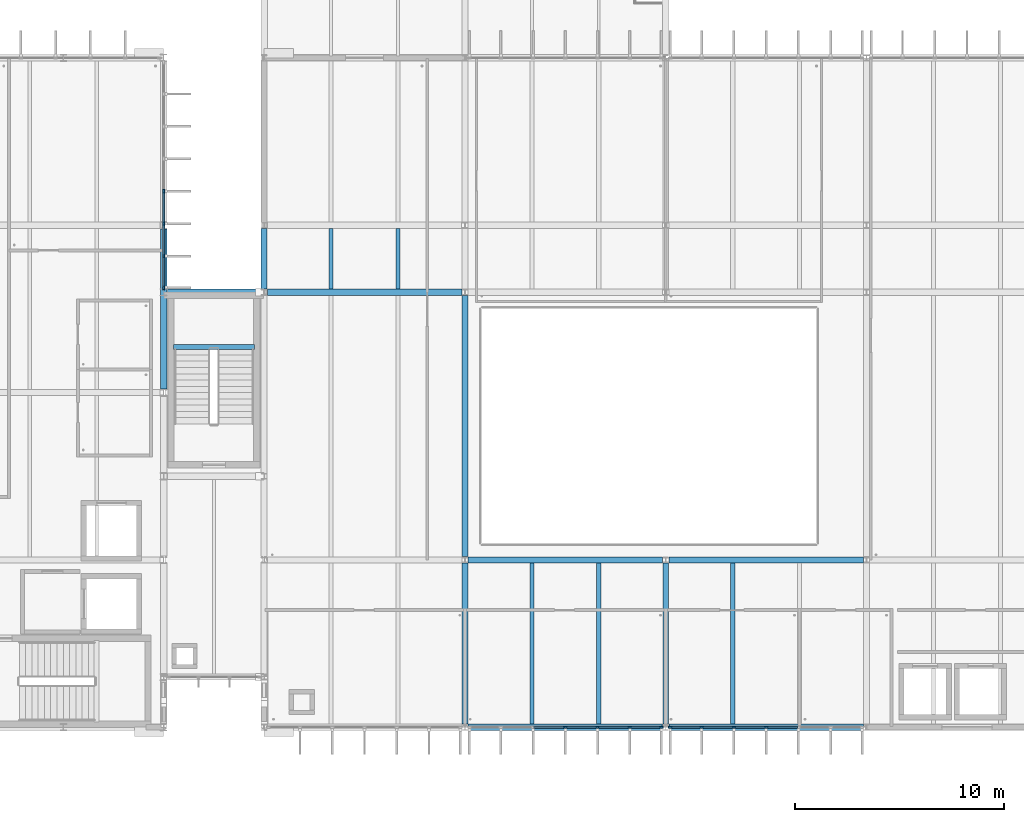
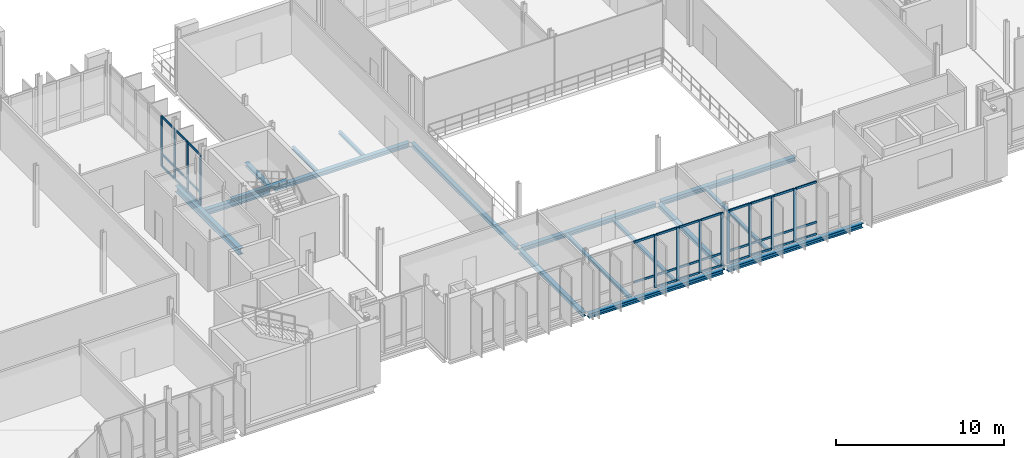
# One storey, part 21 of 93: 44 members, 17 beams, 3 elements without a shape of their own.
"""IFC4 building model written with IfcOpenShell, lengths in metres."""

from ifc_helpers import new_model, si_unit, direction, frame, origin, origin_2d, place, context, subcontext, project, spatial, rectangle, i_section, extrude, material, material_profile, profile_set, type_object, element, aggregate, save


model = new_model("IFC4")

# Units and contexts
model_context = context("Model", 3, precision=1e-05, world=origin(), true_north=direction((0.0, 1.0)))
body_context = subcontext(model_context, "Body", "Model", "MODEL_VIEW")
ifc_project = project(units=[si_unit("LENGTHUNIT", "METRE"), si_unit("AREAUNIT", "SQUARE_METRE"), si_unit("VOLUMEUNIT", "CUBIC_METRE"), si_unit("PLANEANGLEUNIT", "RADIAN"), si_unit("MASSUNIT", "GRAM", prefix="KILO")], contexts=[model_context])

# Site, building, storey
site_placement = place(None, origin())
site = spatial("IfcSite", under=ifc_project, at=site_placement, CompositionType="ELEMENT")
building_placement = place(site_placement, origin())
building = spatial("IfcBuilding", under=site, at=building_placement, Name="Dunescarp Central Library", CompositionType="ELEMENT")
storey_placement = place(building_placement, frame((0.0, 0.0, 14.10009765625)))
storey = spatial("IfcBuildingStorey", under=building, at=storey_placement, Name="L03", CompositionType="ELEMENT", Elevation=14.10009765625)

# Curtain wall, members
ifc_material_1 = material(Name="Marine-grade anodised aluminium 6063-T6", Category="aluminium")
curtain_wall_type = type_object("IfcCurtainWallType", Name="ARC-CW-STICK", PredefinedType="NOTDEFINED", material=ifc_material_1)
curtain_wall_1_placement = place(storey_placement, origin())
curtain_wall_1 = element("IfcCurtainWall", 1, at=curtain_wall_1_placement, inside=storey, type_object=curtain_wall_type, Name="L03 curtain wall CW-V1-023", PredefinedType="NOTDEFINED")
ifc_material_profile_1 = material_profile(ifc_material_1, rectangle(XDim=0.080078125, YDim=0.179931640625, at=origin_2d()), Name="AL 80x180")
ifc_profile_set_1 = profile_set([ifc_material_profile_1], Name="Marine-grade anodised aluminium 6063-T6")
member_type_1 = type_object("IfcMemberType", Name="ARC-CWM-180", PredefinedType="MULLION", material=ifc_profile_set_1)
member_1_placement = place(storey_placement, frame((33.60009765625, 30.425048828125, 0.0), z_axis=(0.0, 0.0, 1.0), x_axis=(1.0, 0.0, 0.0)))
member_1 = element("IfcMember", 2, at=member_1_placement, type_object=member_type_1, Name="CW-V1-023 mullion 5", PredefinedType="MULLION", context=body_context, shape_type="SweptSolid", body=[
    extrude(rectangle(XDim=0.080078125, YDim=0.179931640625, at=origin_2d()), origin(), (0.0, 0.0, 1.0), 3.6748046875),
])
member_2_placement = place(storey_placement, frame((33.60009765625, 28.875, 0.0), z_axis=(0.0, 0.0, 1.0), x_axis=(1.0, 0.0, 0.0)))
member_2 = element("IfcMember", 3, at=member_2_placement, type_object=member_type_1, Name="CW-V1-023 mullion 6", PredefinedType="MULLION", context=body_context, shape_type="SweptSolid", body=[
    extrude(rectangle(XDim=0.080078125, YDim=0.179931640625, at=origin_2d()), origin(), (0.0, 0.0, 1.0), 3.6748046875),
])
member_3_placement = place(storey_placement, frame((33.60009765625, 27.324951171875, 0.0), z_axis=(0.0, 0.0, 1.0), x_axis=(1.0, 0.0, 0.0)))
member_3 = element("IfcMember", 4, at=member_3_placement, type_object=member_type_1, Name="CW-V1-023 mullion 7", PredefinedType="MULLION", context=body_context, shape_type="SweptSolid", body=[
    extrude(rectangle(XDim=0.080078125, YDim=0.179931640625, at=origin_2d()), origin(), (0.0, 0.0, 1.0), 3.6748046875),
])
member_4_placement = place(storey_placement, frame((33.60009765625, 25.81494140625, 0.0), z_axis=(0.0, 0.0, 1.0), x_axis=(1.0, 0.0, 0.0)))
member_4 = element("IfcMember", 5, at=member_4_placement, type_object=member_type_1, Name="CW-V1-023 mullion 8", PredefinedType="MULLION", context=body_context, shape_type="SweptSolid", body=[
    extrude(rectangle(XDim=0.080078125, YDim=0.179931640625, at=origin_2d()), origin(), (0.0, 0.0, 1.0), 3.6748046875),
])

curtain_wall_2_placement = place(storey_placement, origin())
curtain_wall_2 = element("IfcCurtainWall", 6, at=curtain_wall_2_placement, inside=storey, type_object=curtain_wall_type, Name="L03 curtain wall CW-V2-062", PredefinedType="NOTDEFINED")
member_5_placement = place(storey_placement, frame((57.385009765625, 4.800048828125, 0.0), z_axis=(0.0, 0.0, 1.0), x_axis=(0.0, -1.0, 0.0)))
member_5 = element("IfcMember", 7, at=member_5_placement, type_object=member_type_1, Name="CW-V2-062 mullion 1", PredefinedType="MULLION", context=body_context, shape_type="SweptSolid", body=[
    extrude(rectangle(XDim=0.080078125, YDim=0.179931640625, at=origin_2d()), origin(), (0.0, 0.0, 1.0), 3.86181640625),
])
member_6_placement = place(storey_placement, frame((55.88330078125, 4.800048828125, 0.0), z_axis=(0.0, 0.0, 1.0), x_axis=(0.0, -1.0, 0.0)))
member_6 = element("IfcMember", 8, at=member_6_placement, type_object=member_type_1, Name="CW-V2-062 mullion 2", PredefinedType="MULLION", context=body_context, shape_type="SweptSolid", body=[
    extrude(rectangle(XDim=0.080078125, YDim=0.179931640625, at=origin_2d()), origin(), (0.0, 0.0, 1.0), 3.86181640625),
])
member_7_placement = place(storey_placement, frame((54.341552734375, 4.800048828125, 0.0), z_axis=(0.0, 0.0, 1.0), x_axis=(0.0, -1.0, 0.0)))
member_7 = element("IfcMember", 9, at=member_7_placement, type_object=member_type_1, Name="CW-V2-062 mullion 3", PredefinedType="MULLION", context=body_context, shape_type="SweptSolid", body=[
    extrude(rectangle(XDim=0.080078125, YDim=0.179931640625, at=origin_2d()), origin(), (0.0, 0.0, 1.0), 3.86181640625),
])
member_8_placement = place(storey_placement, frame((52.800048828125, 4.800048828125, 0.0), z_axis=(0.0, 0.0, 1.0), x_axis=(0.0, -1.0, 0.0)))
member_8 = element("IfcMember", 10, at=member_8_placement, type_object=member_type_1, Name="CW-V2-062 mullion 4", PredefinedType="MULLION", context=body_context, shape_type="SweptSolid", body=[
    extrude(rectangle(XDim=0.080078125, YDim=0.179931640625, at=origin_2d()), origin(), (0.0, 0.0, 1.0), 3.86181640625),
])

curtain_wall_3_placement = place(storey_placement, origin())
curtain_wall_3 = element("IfcCurtainWall", 11, at=curtain_wall_3_placement, inside=storey, type_object=curtain_wall_type, Name="L03 curtain wall CW-V2-063", PredefinedType="NOTDEFINED")
member_9_placement = place(storey_placement, frame((62.39990234375, 4.800048828125, 0.0), z_axis=(0.0, 0.0, 1.0), x_axis=(0.0, -1.0, 0.0)))
member_9 = element("IfcMember", 12, at=member_9_placement, type_object=member_type_1, Name="CW-V2-063 mullion 4", PredefinedType="MULLION", context=body_context, shape_type="SweptSolid", body=[
    extrude(rectangle(XDim=0.080078125, YDim=0.179931640625, at=origin_2d()), origin(), (0.0, 0.0, 1.0), 3.86181640625),
])
member_10_placement = place(storey_placement, frame((60.8583984375, 4.800048828125, 0.0), z_axis=(0.0, 0.0, 1.0), x_axis=(0.0, -1.0, 0.0)))
member_10 = element("IfcMember", 13, at=member_10_placement, type_object=member_type_1, Name="CW-V2-063 mullion 5", PredefinedType="MULLION", context=body_context, shape_type="SweptSolid", body=[
    extrude(rectangle(XDim=0.080078125, YDim=0.179931640625, at=origin_2d()), origin(), (0.0, 0.0, 1.0), 3.86181640625),
])
member_11_placement = place(storey_placement, frame((59.316650390625, 4.800048828125, 0.0), z_axis=(0.0, 0.0, 1.0), x_axis=(0.0, -1.0, 0.0)))
member_11 = element("IfcMember", 14, at=member_11_placement, type_object=member_type_1, Name="CW-V2-063 mullion 6", PredefinedType="MULLION", context=body_context, shape_type="SweptSolid", body=[
    extrude(rectangle(XDim=0.080078125, YDim=0.179931640625, at=origin_2d()), origin(), (0.0, 0.0, 1.0), 3.86181640625),
])
member_12_placement = place(storey_placement, frame((57.81494140625, 4.800048828125, 0.0), z_axis=(0.0, 0.0, 1.0), x_axis=(0.0, -1.0, 0.0)))
member_12 = element("IfcMember", 15, at=member_12_placement, type_object=member_type_1, Name="CW-V2-063 mullion 7", PredefinedType="MULLION", context=body_context, shape_type="SweptSolid", body=[
    extrude(rectangle(XDim=0.080078125, YDim=0.179931640625, at=origin_2d()), origin(), (0.0, 0.0, 1.0), 3.86181640625),
])

# Member
ifc_material_profile_2 = material_profile(ifc_material_1, rectangle(XDim=0.080078125, YDim=0.14990234375, at=origin_2d()), Name="AL 80x150")
ifc_profile_set_2 = profile_set([ifc_material_profile_2], Name="Marine-grade anodised aluminium 6063-T6")
member_type_2 = type_object("IfcMemberType", Name="ARC-CWT-150", PredefinedType="USERDEFINED", material=ifc_profile_set_2)
member_13_placement = place(storey_placement, frame((33.60009765625, 30.385009765625, 0.039794921875), z_axis=(0.0, -1.0, 0.0), x_axis=(1.0, 0.0, 0.0)))
member_13 = element("IfcMember", 16, at=member_13_placement, type_object=member_type_2, Name="CW-V1-023 transom 5.1", ObjectType="TRANSOM", PredefinedType="USERDEFINED", context=body_context, shape_type="SweptSolid", body=[
    extrude(rectangle(XDim=0.080078125, YDim=0.14990234375, at=origin_2d()), origin(), (0.0, 0.0, 1.0), 1.469970703125),
])

member_14_placement = place(storey_placement, frame((33.60009765625, 30.385009765625, 0.89990234375), z_axis=(0.0, -1.0, 0.0), x_axis=(1.0, 0.0, 0.0)))
member_14 = element("IfcMember", 17, at=member_14_placement, type_object=member_type_2, Name="CW-V1-023 transom 5.2", ObjectType="TRANSOM", PredefinedType="USERDEFINED", context=body_context, shape_type="SweptSolid", body=[
    extrude(rectangle(XDim=0.080078125, YDim=0.14990234375, at=origin_2d()), origin(), (0.0, 0.0, 1.0), 1.469970703125),
])

member_15_placement = place(storey_placement, frame((33.60009765625, 30.385009765625, 3.635009765625), z_axis=(0.0, -1.0, 0.0), x_axis=(1.0, 0.0, 0.0)))
member_15 = element("IfcMember", 18, at=member_15_placement, type_object=member_type_2, Name="CW-V1-023 transom 5.3", ObjectType="TRANSOM", PredefinedType="USERDEFINED", context=body_context, shape_type="SweptSolid", body=[
    extrude(rectangle(XDim=0.080078125, YDim=0.14990234375, at=origin_2d()), origin(), (0.0, 0.0, 1.0), 1.469970703125),
])

member_16_placement = place(storey_placement, frame((33.60009765625, 28.8349609375, 0.039794921875), z_axis=(0.0, -1.0, 0.0), x_axis=(1.0, 0.0, 0.0)))
member_16 = element("IfcMember", 19, at=member_16_placement, type_object=member_type_2, Name="CW-V1-023 transom 6.1", ObjectType="TRANSOM", PredefinedType="USERDEFINED", context=body_context, shape_type="SweptSolid", body=[
    extrude(rectangle(XDim=0.080078125, YDim=0.14990234375, at=origin_2d()), origin(), (0.0, 0.0, 1.0), 1.469970703125),
])

member_17_placement = place(storey_placement, frame((33.60009765625, 28.8349609375, 0.89990234375), z_axis=(0.0, -1.0, 0.0), x_axis=(1.0, 0.0, 0.0)))
member_17 = element("IfcMember", 20, at=member_17_placement, type_object=member_type_2, Name="CW-V1-023 transom 6.2", ObjectType="TRANSOM", PredefinedType="USERDEFINED", context=body_context, shape_type="SweptSolid", body=[
    extrude(rectangle(XDim=0.080078125, YDim=0.14990234375, at=origin_2d()), origin(), (0.0, 0.0, 1.0), 1.469970703125),
])

member_18_placement = place(storey_placement, frame((33.60009765625, 28.8349609375, 3.635009765625), z_axis=(0.0, -1.0, 0.0), x_axis=(1.0, 0.0, 0.0)))
member_18 = element("IfcMember", 21, at=member_18_placement, type_object=member_type_2, Name="CW-V1-023 transom 6.3", ObjectType="TRANSOM", PredefinedType="USERDEFINED", context=body_context, shape_type="SweptSolid", body=[
    extrude(rectangle(XDim=0.080078125, YDim=0.14990234375, at=origin_2d()), origin(), (0.0, 0.0, 1.0), 1.469970703125),
])

member_19_placement = place(storey_placement, frame((33.60009765625, 27.284912109375, 0.039794921875), z_axis=(0.0, -1.0, 0.0), x_axis=(1.0, 0.0, 0.0)))
member_19 = element("IfcMember", 22, at=member_19_placement, type_object=member_type_2, Name="CW-V1-023 transom 7.1", ObjectType="TRANSOM", PredefinedType="USERDEFINED", context=body_context, shape_type="SweptSolid", body=[
    extrude(rectangle(XDim=0.080078125, YDim=0.14990234375, at=origin_2d()), origin(), (0.0, 0.0, 1.0), 1.429931640625),
])

member_20_placement = place(storey_placement, frame((33.60009765625, 27.284912109375, 0.89990234375), z_axis=(0.0, -1.0, 0.0), x_axis=(1.0, 0.0, 0.0)))
member_20 = element("IfcMember", 23, at=member_20_placement, type_object=member_type_2, Name="CW-V1-023 transom 7.2", ObjectType="TRANSOM", PredefinedType="USERDEFINED", context=body_context, shape_type="SweptSolid", body=[
    extrude(rectangle(XDim=0.080078125, YDim=0.14990234375, at=origin_2d()), origin(), (0.0, 0.0, 1.0), 1.429931640625),
])

member_21_placement = place(storey_placement, frame((33.60009765625, 27.284912109375, 3.635009765625), z_axis=(0.0, -1.0, 0.0), x_axis=(1.0, 0.0, 0.0)))
member_21 = element("IfcMember", 24, at=member_21_placement, type_object=member_type_2, Name="CW-V1-023 transom 7.3", ObjectType="TRANSOM", PredefinedType="USERDEFINED", context=body_context, shape_type="SweptSolid", body=[
    extrude(rectangle(XDim=0.080078125, YDim=0.14990234375, at=origin_2d()), origin(), (0.0, 0.0, 1.0), 1.429931640625),
])

aggregate(curtain_wall_1, [member_1, member_2, member_3, member_4, member_13, member_14, member_15, member_16, member_17, member_18, member_19, member_20, member_21])

member_22_placement = place(storey_placement, frame((57.344970703125, 4.800048828125, 0.039794921875), z_axis=(-1.0, 0.0, 0.0), x_axis=(0.0, -1.0, 0.0)))
member_22 = element("IfcMember", 25, at=member_22_placement, type_object=member_type_2, Name="CW-V2-062 transom 1.1", ObjectType="TRANSOM", PredefinedType="USERDEFINED", context=body_context, shape_type="SweptSolid", body=[
    extrude(rectangle(XDim=0.080078125, YDim=0.14990234375, at=origin_2d()), origin(), (0.0, 0.0, 1.0), 1.421630859375),
])

member_23_placement = place(storey_placement, frame((57.344970703125, 4.800048828125, 0.89990234375), z_axis=(-1.0, 0.0, 0.0), x_axis=(0.0, -1.0, 0.0)))
member_23 = element("IfcMember", 26, at=member_23_placement, type_object=member_type_2, Name="CW-V2-062 transom 1.2", ObjectType="TRANSOM", PredefinedType="USERDEFINED", context=body_context, shape_type="SweptSolid", body=[
    extrude(rectangle(XDim=0.080078125, YDim=0.14990234375, at=origin_2d()), origin(), (0.0, 0.0, 1.0), 1.421630859375),
])

member_24_placement = place(storey_placement, frame((57.344970703125, 4.800048828125, 3.822021484375), z_axis=(-1.0, 0.0, 0.0), x_axis=(0.0, -1.0, 0.0)))
member_24 = element("IfcMember", 27, at=member_24_placement, type_object=member_type_2, Name="CW-V2-062 transom 1.3", ObjectType="TRANSOM", PredefinedType="USERDEFINED", context=body_context, shape_type="SweptSolid", body=[
    extrude(rectangle(XDim=0.080078125, YDim=0.14990234375, at=origin_2d()), origin(), (0.0, 0.0, 1.0), 1.421630859375),
])

member_25_placement = place(storey_placement, frame((55.84326171875, 4.800048828125, 0.039794921875), z_axis=(-1.0, 0.0, 0.0), x_axis=(0.0, -1.0, 0.0)))
member_25 = element("IfcMember", 28, at=member_25_placement, type_object=member_type_2, Name="CW-V2-062 transom 2.1", ObjectType="TRANSOM", PredefinedType="USERDEFINED", context=body_context, shape_type="SweptSolid", body=[
    extrude(rectangle(XDim=0.080078125, YDim=0.14990234375, at=origin_2d()), origin(), (0.0, 0.0, 1.0), 1.461669921875),
])

member_26_placement = place(storey_placement, frame((55.84326171875, 4.800048828125, 0.89990234375), z_axis=(-1.0, 0.0, 0.0), x_axis=(0.0, -1.0, 0.0)))
member_26 = element("IfcMember", 29, at=member_26_placement, type_object=member_type_2, Name="CW-V2-062 transom 2.2", ObjectType="TRANSOM", PredefinedType="USERDEFINED", context=body_context, shape_type="SweptSolid", body=[
    extrude(rectangle(XDim=0.080078125, YDim=0.14990234375, at=origin_2d()), origin(), (0.0, 0.0, 1.0), 1.461669921875),
])

member_27_placement = place(storey_placement, frame((55.84326171875, 4.800048828125, 3.822021484375), z_axis=(-1.0, 0.0, 0.0), x_axis=(0.0, -1.0, 0.0)))
member_27 = element("IfcMember", 30, at=member_27_placement, type_object=member_type_2, Name="CW-V2-062 transom 2.3", ObjectType="TRANSOM", PredefinedType="USERDEFINED", context=body_context, shape_type="SweptSolid", body=[
    extrude(rectangle(XDim=0.080078125, YDim=0.14990234375, at=origin_2d()), origin(), (0.0, 0.0, 1.0), 1.461669921875),
])

member_28_placement = place(storey_placement, frame((54.3017578125, 4.800048828125, 0.039794921875), z_axis=(-1.0, 0.0, 0.0), x_axis=(0.0, -1.0, 0.0)))
member_28 = element("IfcMember", 31, at=member_28_placement, type_object=member_type_2, Name="CW-V2-062 transom 3.1", ObjectType="TRANSOM", PredefinedType="USERDEFINED", context=body_context, shape_type="SweptSolid", body=[
    extrude(rectangle(XDim=0.080078125, YDim=0.14990234375, at=origin_2d()), origin(), (0.0, 0.0, 1.0), 1.461669921875),
])

member_29_placement = place(storey_placement, frame((54.3017578125, 4.800048828125, 0.89990234375), z_axis=(-1.0, 0.0, 0.0), x_axis=(0.0, -1.0, 0.0)))
member_29 = element("IfcMember", 32, at=member_29_placement, type_object=member_type_2, Name="CW-V2-062 transom 3.2", ObjectType="TRANSOM", PredefinedType="USERDEFINED", context=body_context, shape_type="SweptSolid", body=[
    extrude(rectangle(XDim=0.080078125, YDim=0.14990234375, at=origin_2d()), origin(), (0.0, 0.0, 1.0), 1.461669921875),
])

member_30_placement = place(storey_placement, frame((54.3017578125, 4.800048828125, 3.822021484375), z_axis=(-1.0, 0.0, 0.0), x_axis=(0.0, -1.0, 0.0)))
member_30 = element("IfcMember", 33, at=member_30_placement, type_object=member_type_2, Name="CW-V2-062 transom 3.3", ObjectType="TRANSOM", PredefinedType="USERDEFINED", context=body_context, shape_type="SweptSolid", body=[
    extrude(rectangle(XDim=0.080078125, YDim=0.14990234375, at=origin_2d()), origin(), (0.0, 0.0, 1.0), 1.461669921875),
])

member_31_placement = place(storey_placement, frame((52.760009765625, 4.800048828125, 0.89990234375), z_axis=(-1.0, 0.0, 0.0), x_axis=(0.0, -1.0, 0.0)))
member_31 = element("IfcMember", 34, at=member_31_placement, type_object=member_type_2, Name="CW-V2-062 transom 4.2", ObjectType="TRANSOM", PredefinedType="USERDEFINED", context=body_context, shape_type="SweptSolid", body=[
    extrude(rectangle(XDim=0.080078125, YDim=0.14990234375, at=origin_2d()), origin(), (0.0, 0.0, 1.0), 1.461669921875),
])

member_32_placement = place(storey_placement, frame((52.760009765625, 4.800048828125, 3.822021484375), z_axis=(-1.0, 0.0, 0.0), x_axis=(0.0, -1.0, 0.0)))
member_32 = element("IfcMember", 35, at=member_32_placement, type_object=member_type_2, Name="CW-V2-062 transom 4.3", ObjectType="TRANSOM", PredefinedType="USERDEFINED", context=body_context, shape_type="SweptSolid", body=[
    extrude(rectangle(XDim=0.080078125, YDim=0.14990234375, at=origin_2d()), origin(), (0.0, 0.0, 1.0), 1.461669921875),
])

aggregate(curtain_wall_2, [member_5, member_6, member_7, member_8, member_22, member_23, member_24, member_25, member_26, member_27, member_28, member_29, member_30, member_31, member_32])

member_33_placement = place(storey_placement, frame((63.901611328125, 4.800048828125, 0.039794921875), z_axis=(-1.0, 0.0, 0.0), x_axis=(0.0, -1.0, 0.0)))
member_33 = element("IfcMember", 36, at=member_33_placement, type_object=member_type_2, Name="CW-V2-063 transom 3.1", ObjectType="TRANSOM", PredefinedType="USERDEFINED", context=body_context, shape_type="SweptSolid", body=[
    extrude(rectangle(XDim=0.080078125, YDim=0.14990234375, at=origin_2d()), origin(), (0.0, 0.0, 1.0), 1.461669921875),
])

member_34_placement = place(storey_placement, frame((63.901611328125, 4.800048828125, 0.89990234375), z_axis=(-1.0, 0.0, 0.0), x_axis=(0.0, -1.0, 0.0)))
member_34 = element("IfcMember", 37, at=member_34_placement, type_object=member_type_2, Name="CW-V2-063 transom 3.2", ObjectType="TRANSOM", PredefinedType="USERDEFINED", context=body_context, shape_type="SweptSolid", body=[
    extrude(rectangle(XDim=0.080078125, YDim=0.14990234375, at=origin_2d()), origin(), (0.0, 0.0, 1.0), 1.461669921875),
])

member_35_placement = place(storey_placement, frame((63.901611328125, 4.800048828125, 3.822021484375), z_axis=(-1.0, 0.0, 0.0), x_axis=(0.0, -1.0, 0.0)))
member_35 = element("IfcMember", 38, at=member_35_placement, type_object=member_type_2, Name="CW-V2-063 transom 3.3", ObjectType="TRANSOM", PredefinedType="USERDEFINED", context=body_context, shape_type="SweptSolid", body=[
    extrude(rectangle(XDim=0.080078125, YDim=0.14990234375, at=origin_2d()), origin(), (0.0, 0.0, 1.0), 1.461669921875),
])

member_36_placement = place(storey_placement, frame((62.360107421875, 4.800048828125, 0.039794921875), z_axis=(-1.0, 0.0, 0.0), x_axis=(0.0, -1.0, 0.0)))
member_36 = element("IfcMember", 39, at=member_36_placement, type_object=member_type_2, Name="CW-V2-063 transom 4.1", ObjectType="TRANSOM", PredefinedType="USERDEFINED", context=body_context, shape_type="SweptSolid", body=[
    extrude(rectangle(XDim=0.080078125, YDim=0.14990234375, at=origin_2d()), origin(), (0.0, 0.0, 1.0), 1.461669921875),
])

member_37_placement = place(storey_placement, frame((62.360107421875, 4.800048828125, 0.89990234375), z_axis=(-1.0, 0.0, 0.0), x_axis=(0.0, -1.0, 0.0)))
member_37 = element("IfcMember", 40, at=member_37_placement, type_object=member_type_2, Name="CW-V2-063 transom 4.2", ObjectType="TRANSOM", PredefinedType="USERDEFINED", context=body_context, shape_type="SweptSolid", body=[
    extrude(rectangle(XDim=0.080078125, YDim=0.14990234375, at=origin_2d()), origin(), (0.0, 0.0, 1.0), 1.461669921875),
])

member_38_placement = place(storey_placement, frame((62.360107421875, 4.800048828125, 3.822021484375), z_axis=(-1.0, 0.0, 0.0), x_axis=(0.0, -1.0, 0.0)))
member_38 = element("IfcMember", 41, at=member_38_placement, type_object=member_type_2, Name="CW-V2-063 transom 4.3", ObjectType="TRANSOM", PredefinedType="USERDEFINED", context=body_context, shape_type="SweptSolid", body=[
    extrude(rectangle(XDim=0.080078125, YDim=0.14990234375, at=origin_2d()), origin(), (0.0, 0.0, 1.0), 1.461669921875),
])

member_39_placement = place(storey_placement, frame((60.818359375, 4.800048828125, 0.039794921875), z_axis=(-1.0, 0.0, 0.0), x_axis=(0.0, -1.0, 0.0)))
member_39 = element("IfcMember", 42, at=member_39_placement, type_object=member_type_2, Name="CW-V2-063 transom 5.1", ObjectType="TRANSOM", PredefinedType="USERDEFINED", context=body_context, shape_type="SweptSolid", body=[
    extrude(rectangle(XDim=0.080078125, YDim=0.14990234375, at=origin_2d()), origin(), (0.0, 0.0, 1.0), 1.461669921875),
])

member_40_placement = place(storey_placement, frame((60.818359375, 4.800048828125, 0.89990234375), z_axis=(-1.0, 0.0, 0.0), x_axis=(0.0, -1.0, 0.0)))
member_40 = element("IfcMember", 43, at=member_40_placement, type_object=member_type_2, Name="CW-V2-063 transom 5.2", ObjectType="TRANSOM", PredefinedType="USERDEFINED", context=body_context, shape_type="SweptSolid", body=[
    extrude(rectangle(XDim=0.080078125, YDim=0.14990234375, at=origin_2d()), origin(), (0.0, 0.0, 1.0), 1.461669921875),
])

member_41_placement = place(storey_placement, frame((60.818359375, 4.800048828125, 3.822021484375), z_axis=(-1.0, 0.0, 0.0), x_axis=(0.0, -1.0, 0.0)))
member_41 = element("IfcMember", 44, at=member_41_placement, type_object=member_type_2, Name="CW-V2-063 transom 5.3", ObjectType="TRANSOM", PredefinedType="USERDEFINED", context=body_context, shape_type="SweptSolid", body=[
    extrude(rectangle(XDim=0.080078125, YDim=0.14990234375, at=origin_2d()), origin(), (0.0, 0.0, 1.0), 1.461669921875),
])

member_42_placement = place(storey_placement, frame((59.276611328125, 4.800048828125, 0.039794921875), z_axis=(-1.0, 0.0, 0.0), x_axis=(0.0, -1.0, 0.0)))
member_42 = element("IfcMember", 45, at=member_42_placement, type_object=member_type_2, Name="CW-V2-063 transom 6.1", ObjectType="TRANSOM", PredefinedType="USERDEFINED", context=body_context, shape_type="SweptSolid", body=[
    extrude(rectangle(XDim=0.080078125, YDim=0.14990234375, at=origin_2d()), origin(), (0.0, 0.0, 1.0), 1.421630859375),
])

member_43_placement = place(storey_placement, frame((59.276611328125, 4.800048828125, 0.89990234375), z_axis=(-1.0, 0.0, 0.0), x_axis=(0.0, -1.0, 0.0)))
member_43 = element("IfcMember", 46, at=member_43_placement, type_object=member_type_2, Name="CW-V2-063 transom 6.2", ObjectType="TRANSOM", PredefinedType="USERDEFINED", context=body_context, shape_type="SweptSolid", body=[
    extrude(rectangle(XDim=0.080078125, YDim=0.14990234375, at=origin_2d()), origin(), (0.0, 0.0, 1.0), 1.421630859375),
])

member_44_placement = place(storey_placement, frame((59.276611328125, 4.800048828125, 3.822021484375), z_axis=(-1.0, 0.0, 0.0), x_axis=(0.0, -1.0, 0.0)))
member_44 = element("IfcMember", 47, at=member_44_placement, type_object=member_type_2, Name="CW-V2-063 transom 6.3", ObjectType="TRANSOM", PredefinedType="USERDEFINED", context=body_context, shape_type="SweptSolid", body=[
    extrude(rectangle(XDim=0.080078125, YDim=0.14990234375, at=origin_2d()), origin(), (0.0, 0.0, 1.0), 1.421630859375),
])

aggregate(curtain_wall_3, [member_9, member_10, member_11, member_12, member_33, member_34, member_35, member_36, member_37, member_38, member_39, member_40, member_41, member_42, member_43, member_44])

# Beams
ifc_material_2 = material(Name="Steel S355JR", Category="steel")
ifc_material_profile_3 = material_profile(ifc_material_2, i_section(OverallWidth=0.300048828125, OverallDepth=0.31005859375, WebThickness=0.009033203125, FlangeThickness=0.015380859375, at=origin_2d()), Name="HEA 320")
ifc_profile_set_3 = profile_set([ifc_material_profile_3], Name="Steel S355JR")
beam_type_1 = type_object("IfcBeamType", Name="STR-BM-HEA320", PredefinedType="BEAM", material=ifc_profile_set_3)
for number, where, z_axis, x_axis, name in (
    (48, (38.551025390625, 25.60009765625, -0.39501953125), (1.0, 0.0, 0.0), (0.0, 1.0, 0.0), "L03 girder BM-L03-0477"),
    (49, (48.15087890625, 4.800048828125, -0.39501953125), (1.0, 0.0, 0.0), (0.0, 1.0, 0.0), "L03 girder BM-L03-0492"),
    (50, (48.15087890625, 12.800048828125, -0.39501953125), (1.0, 0.0, 0.0), (0.0, 1.0, 0.0), "L03 girder BM-L03-0493"),
    (51, (57.7509765625, 4.800048828125, -0.39501953125), (1.0, 0.0, 0.0), (0.0, 1.0, 0.0), "L03 girder BM-L03-0506"),
    (52, (57.7509765625, 12.800048828125, -0.39501953125), (1.0, 0.0, 0.0), (0.0, 1.0, 0.0), "L03 girder BM-L03-0507"),
):
    element("IfcBeam", number, at=place(storey_placement, frame(where, z_axis=z_axis, x_axis=x_axis)), inside=storey, type_object=beam_type_1, Name=name, PredefinedType="BEAM", context=body_context, shape_type="SweptSolid", body=[
        extrude(i_section(OverallWidth=0.300048828125, OverallDepth=0.31005859375, WebThickness=0.009033203125, FlangeThickness=0.015380859375, at=origin_2d()), origin(), (0.0, 0.0, 1.0), 9.298095703125),
    ])
ifc_material_profile_4 = material_profile(ifc_material_2, i_section(OverallWidth=0.300048828125, OverallDepth=0.389892578125, WebThickness=0.010986328125, FlangeThickness=0.01904296875, at=origin_2d()), Name="HEA 400")
ifc_profile_set_4 = profile_set([ifc_material_profile_4], Name="Steel S355JR")
beam_type_2 = type_object("IfcBeamType", Name="STR-BM-HEA400", PredefinedType="BEAM", material=ifc_profile_set_4)
beam_1_placement = place(storey_placement, frame((33.781982421875, 25.60009765625, -0.43505859375), z_axis=(1.0, 0.0, 0.0), x_axis=(0.0, 1.0, 0.0)))
element("IfcBeam", 53, at=beam_1_placement, inside=storey, type_object=beam_type_2, Name="L03 girder BM-L03-1226", PredefinedType="BEAM", context=body_context, shape_type="SweptSolid", body=[
    extrude(i_section(OverallWidth=0.300048828125, OverallDepth=0.389892578125, WebThickness=0.010986328125, FlangeThickness=0.01904296875, at=origin_2d()), origin(), (0.0, 0.0, 1.0), 4.467041015625),
])
ifc_material_profile_5 = material_profile(ifc_material_2, i_section(OverallWidth=0.280029296875, OverallDepth=0.280029296875, WebThickness=0.010498046875, FlangeThickness=0.01806640625, at=origin_2d()), Name="HEB 280")
ifc_profile_set_5 = profile_set([ifc_material_profile_5], Name="Steel S355JR")
beam_type_3 = type_object("IfcBeamType", Name="STR-BM-HEB280", PredefinedType="BEAM", material=ifc_profile_set_5)
beam_2_placement = place(storey_placement, frame((48.0, 4.9541015625, -0.380126953125), z_axis=(0.0, 1.0, 0.0), x_axis=(-1.0, 0.0, 0.0)))
element("IfcBeam", 54, at=beam_2_placement, inside=storey, type_object=beam_type_3, Name="L03 girder BM-L03-0474", PredefinedType="BEAM", context=body_context, shape_type="SweptSolid", body=[
    extrude(i_section(OverallWidth=0.280029296875, OverallDepth=0.280029296875, WebThickness=0.010498046875, FlangeThickness=0.01806640625, at=origin_2d()), origin(), (0.0, 0.0, 1.0), 7.69189453125),
])
beam_3_placement = place(storey_placement, frame((48.0, 12.9541015625, -0.380126953125), z_axis=(0.0, 1.0, 0.0), x_axis=(-1.0, 0.0, 0.0)))
element("IfcBeam", 55, at=beam_3_placement, inside=storey, type_object=beam_type_3, Name="L03 girder BM-L03-0479", PredefinedType="BEAM", context=body_context, shape_type="SweptSolid", body=[
    extrude(i_section(OverallWidth=0.280029296875, OverallDepth=0.280029296875, WebThickness=0.010498046875, FlangeThickness=0.01806640625, at=origin_2d()), origin(), (0.0, 0.0, 1.0), 12.491943359375),
])
beam_4_placement = place(storey_placement, frame((38.39990234375, 25.75390625, -0.380126953125), z_axis=(0.0, 1.0, 0.0), x_axis=(-1.0, 0.0, 0.0)))
element("IfcBeam", 56, at=beam_4_placement, inside=storey, type_object=beam_type_3, Name="L03 girder BM-L03-0483", PredefinedType="BEAM", context=body_context, shape_type="SweptSolid", body=[
    extrude(i_section(OverallWidth=0.280029296875, OverallDepth=0.280029296875, WebThickness=0.010498046875, FlangeThickness=0.01806640625, at=origin_2d()), origin(), (0.0, 0.0, 1.0), 2.885009765625),
])
beam_5_placement = place(storey_placement, frame((57.60009765625, 4.9541015625, -0.380126953125), z_axis=(0.0, 1.0, 0.0), x_axis=(-1.0, 0.0, 0.0)))
element("IfcBeam", 57, at=beam_5_placement, inside=storey, type_object=beam_type_3, Name="L03 girder BM-L03-0494", PredefinedType="BEAM", context=body_context, shape_type="SweptSolid", body=[
    extrude(i_section(OverallWidth=0.280029296875, OverallDepth=0.280029296875, WebThickness=0.010498046875, FlangeThickness=0.01806640625, at=origin_2d()), origin(), (0.0, 0.0, 1.0), 7.69189453125),
])
ifc_material_profile_6 = material_profile(ifc_material_2, i_section(OverallWidth=0.300048828125, OverallDepth=0.449951171875, WebThickness=0.013916015625, FlangeThickness=0.02587890625, at=origin_2d()), Name="HEB 450")
ifc_profile_set_6 = profile_set([ifc_material_profile_6], Name="Steel S355JR")
beam_type_4 = type_object("IfcBeamType", Name="STR-BM-HEB450", PredefinedType="BEAM", material=ifc_profile_set_6)
beam_6_placement = place(storey_placement, frame((33.60009765625, 20.97802734375, -0.465087890625), z_axis=(0.0, 1.0, 0.0), x_axis=(-1.0, 0.0, 0.0)))
element("IfcBeam", 58, at=beam_6_placement, inside=storey, type_object=beam_type_4, Name="L03 girder BM-L03-0159", PredefinedType="BEAM", context=body_context, shape_type="SweptSolid", body=[
    extrude(i_section(OverallWidth=0.300048828125, OverallDepth=0.449951171875, WebThickness=0.013916015625, FlangeThickness=0.02587890625, at=origin_2d()), origin(), (0.0, 0.0, 1.0), 7.64404296875),
])
ifc_material_profile_7 = material_profile(ifc_material_2, i_section(OverallWidth=0.239990234375, OverallDepth=0.22998046875, WebThickness=0.007568359375, FlangeThickness=0.011962890625, at=origin_2d()), Name="HEA 240")
ifc_profile_set_7 = profile_set([ifc_material_profile_7], Name="Steel S355JR")
beam_type_5 = type_object("IfcBeamType", Name="STR-JS-HEA240", PredefinedType="JOIST", material=ifc_profile_set_7)
beam_7_placement = place(storey_placement, frame((34.06005859375, 22.97998046875, 1.934814453125), z_axis=(1.0, 0.0, 0.0), x_axis=(0.0, 1.0, 0.0)))
element("IfcBeam", 59, at=beam_7_placement, inside=storey, type_object=beam_type_5, Name="L03 ST-2 landing trimmer beam BM-ST-016", PredefinedType="BEAM", context=body_context, shape_type="SweptSolid", body=[
    extrude(i_section(OverallWidth=0.239990234375, OverallDepth=0.22998046875, WebThickness=0.007568359375, FlangeThickness=0.011962890625, at=origin_2d()), origin(), (0.0, 0.0, 1.0), 3.8798828125),
])
ifc_material_profile_8 = material_profile(ifc_material_2, i_section(OverallWidth=0.199951171875, OverallDepth=0.199951171875, WebThickness=0.009033203125, FlangeThickness=0.014892578125, at=origin_2d()), Name="HEB 200")
ifc_profile_set_8 = profile_set([ifc_material_profile_8], Name="Steel S355JR")
beam_type_6 = type_object("IfcBeamType", Name="STR-JS-HEB200", PredefinedType="JOIST", material=ifc_profile_set_8)
for number, where, z_axis, x_axis, name in (
    (60, (41.60009765625, 25.748046875, -0.340087890625), (0.0, 1.0, 0.0), (-1.0, 0.0, 0.0), "L03 joist JS-L03-0485"),
    (61, (44.800048828125, 25.748046875, -0.340087890625), (0.0, 1.0, 0.0), (-1.0, 0.0, 0.0), "L03 joist JS-L03-0486"),
):
    element("IfcBeam", number, at=place(storey_placement, frame(where, z_axis=z_axis, x_axis=x_axis)), inside=storey, type_object=beam_type_6, Name=name, PredefinedType="JOIST", context=body_context, shape_type="SweptSolid", body=[
        extrude(i_section(OverallWidth=0.199951171875, OverallDepth=0.199951171875, WebThickness=0.009033203125, FlangeThickness=0.014892578125, at=origin_2d()), origin(), (0.0, 0.0, 1.0), 2.904052734375),
    ])
for number, where, z_axis, x_axis, name in (
    (62, (51.199951171875, 4.947998046875, -0.340087890625), (0.0, 1.0, 0.0), (-1.0, 0.0, 0.0), "L03 joist JS-L03-0495"),
    (63, (54.39990234375, 4.947998046875, -0.340087890625), (0.0, 1.0, 0.0), (-1.0, 0.0, 0.0), "L03 joist JS-L03-0496"),
    (64, (60.800048828125, 4.947998046875, -0.340087890625), (0.0, 1.0, 0.0), (-1.0, 0.0, 0.0), "L03 joist JS-L03-0509"),
):
    element("IfcBeam", number, at=place(storey_placement, frame(where, z_axis=z_axis, x_axis=x_axis)), inside=storey, type_object=beam_type_6, Name=name, PredefinedType="JOIST", context=body_context, shape_type="SweptSolid", body=[
        extrude(i_section(OverallWidth=0.199951171875, OverallDepth=0.199951171875, WebThickness=0.009033203125, FlangeThickness=0.014892578125, at=origin_2d()), origin(), (0.0, 0.0, 1.0), 7.7041015625),
    ])

save(model, "model.ifc")
